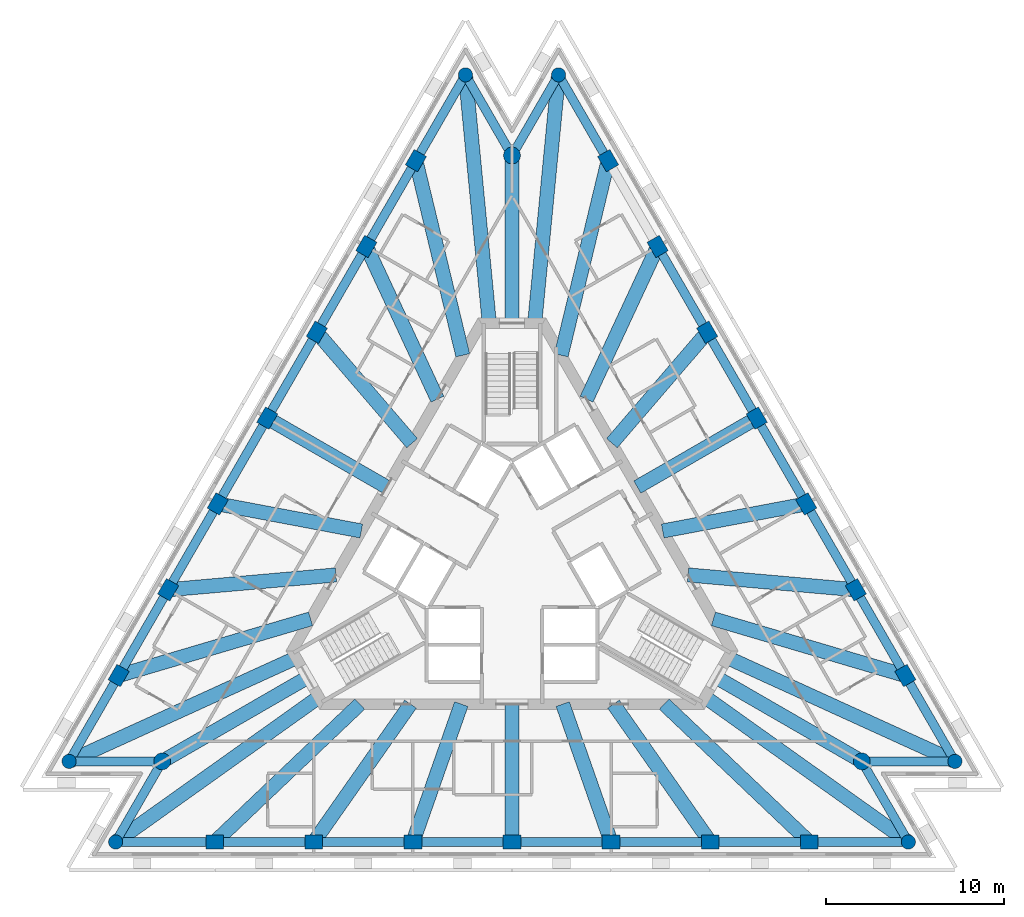
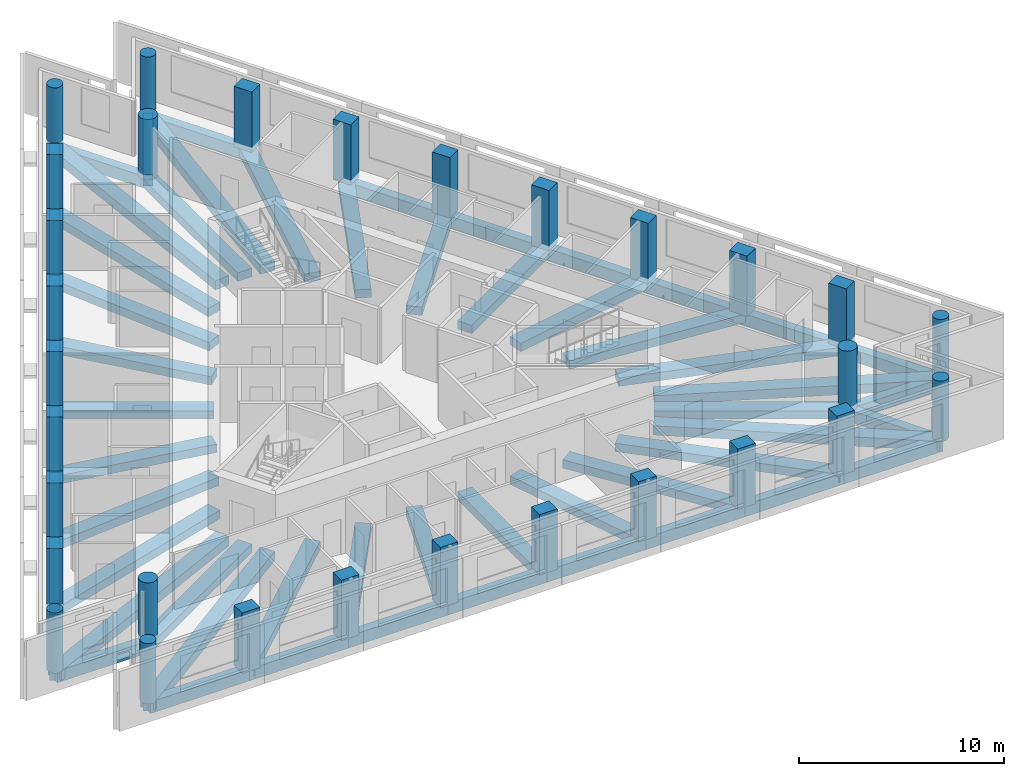
# One storey, part 1 of 10: 59 beams, 30 columns.
"""IFC4 building model written with IfcOpenShell, lengths in metres."""

from ifc_helpers import new_model, si_unit, direction, frame, origin, origin_2d, place, context, subcontext, project, spatial, rectangle, circle, extrude, material, material_profile, profile_set, type_object, element, save


model = new_model("IFC4")

# Units and contexts
model_context = context("Model", 3, precision=1e-05, world=origin(), true_north=direction((0.0, 1.0)))
body_context = subcontext(model_context, "Body", "Model", "MODEL_VIEW")
ifc_project = project(units=[si_unit("LENGTHUNIT", "METRE"), si_unit("AREAUNIT", "SQUARE_METRE"), si_unit("VOLUMEUNIT", "CUBIC_METRE"), si_unit("PLANEANGLEUNIT", "RADIAN"), si_unit("MASSUNIT", "GRAM", prefix="KILO")], contexts=[model_context])

# Site, building, storey
site_placement = place(None, origin())
site = spatial("IfcSite", under=ifc_project, at=site_placement, CompositionType="ELEMENT")
building_placement = place(site_placement, origin())
building = spatial("IfcBuilding", under=site, at=building_placement, Name="Triada Interchange Tower", CompositionType="ELEMENT")
storey_placement = place(building_placement, frame((0.0, 0.0, 268.300048828125)))
storey = spatial("IfcBuildingStorey", under=building, at=storey_placement, Name="L62", CompositionType="ELEMENT", Elevation=268.300048828125)

# Columns
ifc_material_1 = material(Name="Concrete C40/50", Category="concrete")
ifc_material_profile_1 = material_profile(ifc_material_1, rectangle(XDim=1.0, YDim=0.800048828125, at=origin_2d()), Name="RC 1000x800")
ifc_profile_set_1 = profile_set([ifc_material_profile_1], Name="Concrete C40/50")
column_type_1 = type_object("IfcColumnType", Name="Column D face RC 1000x800", PredefinedType="COLUMN", material=ifc_profile_set_1)
for number, where, z_axis, x_axis, name in (
    (1, (-5.4130859375, 22.458984375, -0.300048828125), (0.0, 0.0, 1.0), (0.5, 0.866025403784, 0.0), "Column CD02 L62"),
    (2, (-8.202880859375, 17.6259765625, -0.300048828125), (0.0, 0.0, 1.0), (0.5, 0.866025403784, 0.0), "Column CD03 L62"),
    (3, (-10.993896484375, 12.7919921875, -0.300048828125), (0.0, 0.0, 1.0), (0.5, 0.866025403784, 0.0), "Column CD04 L62"),
    (4, (-13.783935546875, 7.958984375, -0.300048828125), (0.0, 0.0, 1.0), (0.5, 0.866025403784, 0.0), "Column CD05 L62"),
    (5, (-16.574951171875, 3.125, -0.300048828125), (0.0, 0.0, 1.0), (0.5, 0.866025403784, 0.0), "Column CD06 L62"),
    (6, (-19.365966796875, -1.708984375, -0.300048828125), (0.0, 0.0, 1.0), (0.5, 0.866025403784, 0.0), "Column CD07 L62"),
    (7, (-22.156005859375, -6.5419921875, -0.300048828125), (0.0, 0.0, 1.0), (0.5, 0.866025403784, 0.0), "Column CD08 L62"),
    (8, (-16.7451171875, -15.9169921875, -0.300048828125), (0.0, 0.0, 1.0), (1.0, 0.0, 0.0), "Column CD11 L62"),
    (9, (-11.1630859375, -15.9169921875, -0.300048828125), (0.0, 0.0, 1.0), (1.0, 0.0, 0.0), "Column CD12 L62"),
    (10, (-5.5810546875, -15.9169921875, -0.300048828125), (0.0, 0.0, 1.0), (1.0, 0.0, 0.0), "Column CD13 L62"),
    (11, (0.0, -15.9169921875, -0.300048828125), (0.0, 0.0, 1.0), (1.0, 0.0, 0.0), "Column CD14 L62"),
    (12, (5.5810546875, -15.9169921875, -0.300048828125), (0.0, 0.0, 1.0), (1.0, 0.0, 0.0), "Column CD15 L62"),
    (13, (11.1630859375, -15.9169921875, -0.300048828125), (0.0, 0.0, 1.0), (1.0, 0.0, 0.0), "Column CD16 L62"),
    (14, (16.7451171875, -15.9169921875, -0.300048828125), (0.0, 0.0, 1.0), (1.0, 0.0, 0.0), "Column CD17 L62"),
    (15, (22.156005859375, -6.5419921875, -0.300048828125), (0.0, 0.0, 1.0), (-0.5, 0.866025403784, 0.0), "Column CD20 L62"),
    (16, (19.365966796875, -1.708984375, -0.300048828125), (0.0, 0.0, 1.0), (-0.5, 0.866025403784, 0.0), "Column CD21 L62"),
    (17, (16.574951171875, 3.125, -0.300048828125), (0.0, 0.0, 1.0), (-0.5, 0.866025403784, 0.0), "Column CD22 L62"),
    (18, (13.783935546875, 7.9580078125, -0.300048828125), (0.0, 0.0, 1.0), (-0.5, 0.866025403784, 0.0), "Column CD23 L62"),
    (19, (10.993896484375, 12.7919921875, -0.300048828125), (0.0, 0.0, 1.0), (-0.5, 0.866025403784, 0.0), "Column CD24 L62"),
    (20, (8.202880859375, 17.6259765625, -0.300048828125), (0.0, 0.0, 1.0), (-0.5, 0.866025403784, 0.0), "Column CD25 L62"),
    (21, (5.4130859375, 22.458984375, -0.300048828125), (0.0, 0.0, 1.0), (-0.5, 0.866025403784, 0.0), "Column CD26 L62"),
):
    element("IfcColumn", number, at=place(storey_placement, frame(where, z_axis=z_axis, x_axis=x_axis)), inside=storey, type_object=column_type_1, Name=name, PredefinedType="COLUMN", context=body_context, shape_type="SweptSolid", body=[
        extrude(rectangle(XDim=1.0, YDim=0.800048828125, at=origin_2d()), origin(), (0.0, 0.0, 1.0), 3.60009765625),
    ])
ifc_material_profile_2 = material_profile(ifc_material_1, circle(Radius=0.39990234375, at=origin_2d()), Name="RC D800")
ifc_profile_set_2 = profile_set([ifc_material_profile_2], Name="Concrete C40/50")
column_type_2 = type_object("IfcColumnType", Name="End column D RC D800", PredefinedType="COLUMN", material=ifc_profile_set_2)
for number, where, z_axis, x_axis, name in (
    (22, (-2.6220703125, 27.29296875, -0.300048828125), (0.0, 0.0, 1.0), (0.5, 0.866025403784, 0.0), "Column CD01 L62"),
    (23, (-24.947021484375, -11.3759765625, -0.300048828125), (0.0, 0.0, 1.0), (0.5, 0.866025403784, 0.0), "Column CD09 L62"),
    (24, (-22.325927734375, -15.9169921875, -0.300048828125), (0.0, 0.0, 1.0), (1.0, 0.0, 0.0), "Column CD10 L62"),
    (25, (22.325927734375, -15.9169921875, -0.300048828125), (0.0, 0.0, 1.0), (1.0, 0.0, 0.0), "Column CD18 L62"),
    (26, (24.947021484375, -11.3759765625, -0.300048828125), (0.0, 0.0, 1.0), (-0.5, 0.866025403784, 0.0), "Column CD19 L62"),
    (27, (2.6220703125, 27.29296875, -0.300048828125), (0.0, 0.0, 1.0), (-0.5, 0.866025403784, 0.0), "Column CD27 L62"),
):
    element("IfcColumn", number, at=place(storey_placement, frame(where, z_axis=z_axis, x_axis=x_axis)), inside=storey, type_object=column_type_2, Name=name, PredefinedType="COLUMN", context=body_context, shape_type="SweptSolid", body=[
        extrude(circle(Radius=0.39990234375, at=origin_2d()), origin(), (0.0, 0.0, 1.0), 3.60009765625),
    ])
ifc_material_profile_3 = material_profile(ifc_material_1, circle(Radius=0.47509765625, at=origin_2d()), Name="RC D950")
ifc_profile_set_3 = profile_set([ifc_material_profile_3], Name="Concrete C40/50")
column_type_3 = type_object("IfcColumnType", Name="Mega column D RC D950", PredefinedType="COLUMN", material=ifc_profile_set_3)
for number, where, z_axis, x_axis, name in (
    (28, (0.0, 22.7529296875, -0.300048828125), (0.0, 0.0, 1.0), (1.0, 0.0, 0.0), "Column MD1 L62"),
    (29, (-19.7041015625, -11.3759765625, -0.300048828125), (0.0, 0.0, 1.0), (1.0, 0.0, 0.0), "Column MD2 L62"),
    (30, (19.7041015625, -11.3759765625, -0.300048828125), (0.0, 0.0, 1.0), (1.0, 0.0, 0.0), "Column MD3 L62"),
):
    element("IfcColumn", number, at=place(storey_placement, frame(where, z_axis=z_axis, x_axis=x_axis)), inside=storey, type_object=column_type_3, Name=name, PredefinedType="COLUMN", context=body_context, shape_type="SweptSolid", body=[
        extrude(circle(Radius=0.47509765625, at=origin_2d()), origin(), (0.0, 0.0, 1.0), 3.60009765625),
    ])

# Beams
ifc_material_2 = material(Name="Concrete C50/60", Category="concrete")
ifc_material_profile_4 = material_profile(ifc_material_2, rectangle(XDim=0.800048828125, YDim=0.5, at=origin_2d()), Name="RC 800x500")
ifc_profile_set_4 = profile_set([ifc_material_profile_4], Name="Concrete C50/60")
beam_type_1 = type_object("IfcBeamType", Name="Radial band beam D RC 800x500", PredefinedType="BEAM", material=ifc_profile_set_4)
beam_1_placement = place(storey_placement, frame((-5.4130859375, 22.458984375, -0.550048828125), z_axis=(0.234272173426, -0.972171049126, 0.0), x_axis=(0.972171049126, 0.234272173426, 0.0)))
element("IfcBeam", 31, at=beam_1_placement, inside=storey, type_object=beam_type_1, Name="Radial band beam BD02 L62", PredefinedType="BEAM", context=body_context, shape_type="SweptSolid", body=[
    extrude(rectangle(XDim=0.800048828125, YDim=0.5, at=origin_2d()), origin(), (0.0, 0.0, 1.0), 11.273681640625),
])
beam_2_placement = place(storey_placement, frame((-8.202880859375, 17.6259765625, -0.550048828125), z_axis=(0.421941327944, -0.906623138781, 0.0), x_axis=(0.906623138781, 0.421941327944, 0.0)))
element("IfcBeam", 32, at=beam_2_placement, inside=storey, type_object=beam_type_1, Name="Radial band beam BD03 L62", PredefinedType="BEAM", context=body_context, shape_type="SweptSolid", body=[
    extrude(rectangle(XDim=0.800048828125, YDim=0.5, at=origin_2d()), origin(), (0.0, 0.0, 1.0), 9.48681640625),
])
beam_3_placement = place(storey_placement, frame((-10.993896484375, 12.7919921875, -0.550048828125), z_axis=(0.651824057833, -0.758370224647, 0.0), x_axis=(0.758370224647, 0.651824057833, 0.0)))
element("IfcBeam", 33, at=beam_3_placement, inside=storey, type_object=beam_type_1, Name="Radial band beam BD04 L62", PredefinedType="BEAM", context=body_context, shape_type="SweptSolid", body=[
    extrude(rectangle(XDim=0.800048828125, YDim=0.5, at=origin_2d()), origin(), (0.0, 0.0, 1.0), 8.230712890625),
])
beam_4_placement = place(storey_placement, frame((-13.783935546875, 7.958984375, -0.550048828125), z_axis=(0.865976705992, -0.500084337567, 0.0), x_axis=(0.500084337567, 0.865976705992, 0.0)))
element("IfcBeam", 34, at=beam_4_placement, inside=storey, type_object=beam_type_1, Name="Radial band beam BD05 L62", PredefinedType="BEAM", context=body_context, shape_type="SweptSolid", body=[
    extrude(rectangle(XDim=0.800048828125, YDim=0.5, at=origin_2d()), origin(), (0.0, 0.0, 1.0), 7.766845703125),
])
beam_5_placement = place(storey_placement, frame((-16.574951171875, 3.125, -0.550048828125), z_axis=(0.982686321987, -0.185277069764, 0.0), x_axis=(0.185277069764, 0.982686321987, 0.0)))
element("IfcBeam", 35, at=beam_5_placement, inside=storey, type_object=beam_type_1, Name="Radial band beam BD06 L62", PredefinedType="BEAM", context=body_context, shape_type="SweptSolid", body=[
    extrude(rectangle(XDim=0.800048828125, YDim=0.5, at=origin_2d()), origin(), (0.0, 0.0, 1.0), 8.23046875),
])
beam_6_placement = place(storey_placement, frame((-19.365966796875, -1.708984375, -0.550048828125), z_axis=(0.996128325651, 0.087911084828, 0.0), x_axis=(-0.087911084828, 0.996128325651, 0.0)))
element("IfcBeam", 36, at=beam_6_placement, inside=storey, type_object=beam_type_1, Name="Radial band beam BD07 L62", PredefinedType="BEAM", context=body_context, shape_type="SweptSolid", body=[
    extrude(rectangle(XDim=0.800048828125, YDim=0.5, at=origin_2d()), origin(), (0.0, 0.0, 1.0), 9.486572265625),
])
beam_7_placement = place(storey_placement, frame((-22.156005859375, -6.5419921875, -0.550048828125), z_axis=(0.959072530335, 0.283160522596, 0.0), x_axis=(-0.283160522596, 0.959072530335, 0.0)))
element("IfcBeam", 37, at=beam_7_placement, inside=storey, type_object=beam_type_1, Name="Radial band beam BD08 L62", PredefinedType="BEAM", context=body_context, shape_type="SweptSolid", body=[
    extrude(rectangle(XDim=0.800048828125, YDim=0.5, at=origin_2d()), origin(), (0.0, 0.0, 1.0), 11.2724609375),
])
beam_8_placement = place(storey_placement, frame((-19.7041015625, -11.3759765625, -0.550048828125), z_axis=(0.866031605588, 0.499989258007, 0.0), x_axis=(-0.499989258007, 0.866031605588, 0.0)))
element("IfcBeam", 38, at=beam_8_placement, inside=storey, type_object=beam_type_1, Name="Radial band beam BD10 L62", PredefinedType="BEAM", context=body_context, shape_type="SweptSolid", body=[
    extrude(rectangle(XDim=0.800048828125, YDim=0.5, at=origin_2d()), origin(), (0.0, 0.0, 1.0), 9.452392578125),
])
beam_9_placement = place(storey_placement, frame((-16.7451171875, -15.9169921875, -0.550048828125), z_axis=(0.724799890409, 0.688959446457, 0.0), x_axis=(-0.688959446457, 0.724799890409, 0.0)))
element("IfcBeam", 39, at=beam_9_placement, inside=storey, type_object=beam_type_1, Name="Radial band beam BD12 L62", PredefinedType="BEAM", context=body_context, shape_type="SweptSolid", body=[
    extrude(rectangle(XDim=0.800048828125, YDim=0.5, at=origin_2d()), origin(), (0.0, 0.0, 1.0), 11.273681640625),
])
beam_10_placement = place(storey_placement, frame((-11.1630859375, -15.9169921875, -0.550048828125), z_axis=(0.574173726859, 0.818733492282, 0.0), x_axis=(-0.818733492282, 0.574173726859, 0.0)))
element("IfcBeam", 40, at=beam_10_placement, inside=storey, type_object=beam_type_1, Name="Radial band beam BD13 L62", PredefinedType="BEAM", context=body_context, shape_type="SweptSolid", body=[
    extrude(rectangle(XDim=0.800048828125, YDim=0.5, at=origin_2d()), origin(), (0.0, 0.0, 1.0), 9.48681640625),
])
beam_11_placement = place(storey_placement, frame((-5.5810546875, -15.9169921875, -0.550048828125), z_axis=(0.330855101794, 0.943681567912, 0.0), x_axis=(-0.943681567912, 0.330855101794, 0.0)))
element("IfcBeam", 41, at=beam_11_placement, inside=storey, type_object=beam_type_1, Name="Radial band beam BD14 L62", PredefinedType="BEAM", context=body_context, shape_type="SweptSolid", body=[
    extrude(rectangle(XDim=0.800048828125, YDim=0.5, at=origin_2d()), origin(), (0.0, 0.0, 1.0), 8.230712890625),
])
beam_12_placement = place(storey_placement, frame((0.0, -15.9169921875, -0.550048828125), z_axis=(0.0, 1.0, 0.0), x_axis=(-1.0, 0.0, 0.0)))
element("IfcBeam", 42, at=beam_12_placement, inside=storey, type_object=beam_type_1, Name="Radial band beam BD15 L62", PredefinedType="BEAM", context=body_context, shape_type="SweptSolid", body=[
    extrude(rectangle(XDim=0.800048828125, YDim=0.5, at=origin_2d()), origin(), (0.0, 0.0, 1.0), 7.76708984375),
])
beam_13_placement = place(storey_placement, frame((5.5810546875, -15.9169921875, -0.550048828125), z_axis=(-0.330855101794, 0.943681567912, 0.0), x_axis=(-0.943681567912, -0.330855101794, 0.0)))
element("IfcBeam", 43, at=beam_13_placement, inside=storey, type_object=beam_type_1, Name="Radial band beam BD16 L62", PredefinedType="BEAM", context=body_context, shape_type="SweptSolid", body=[
    extrude(rectangle(XDim=0.800048828125, YDim=0.5, at=origin_2d()), origin(), (0.0, 0.0, 1.0), 8.230712890625),
])
beam_14_placement = place(storey_placement, frame((11.1630859375, -15.9169921875, -0.550048828125), z_axis=(-0.574173726859, 0.818733492282, 0.0), x_axis=(-0.818733492282, -0.574173726859, 0.0)))
element("IfcBeam", 44, at=beam_14_placement, inside=storey, type_object=beam_type_1, Name="Radial band beam BD17 L62", PredefinedType="BEAM", context=body_context, shape_type="SweptSolid", body=[
    extrude(rectangle(XDim=0.800048828125, YDim=0.5, at=origin_2d()), origin(), (0.0, 0.0, 1.0), 9.48681640625),
])
beam_15_placement = place(storey_placement, frame((16.7451171875, -15.9169921875, -0.550048828125), z_axis=(-0.724799890409, 0.688959446457, 0.0), x_axis=(-0.688959446457, -0.724799890409, 0.0)))
element("IfcBeam", 45, at=beam_15_placement, inside=storey, type_object=beam_type_1, Name="Radial band beam BD18 L62", PredefinedType="BEAM", context=body_context, shape_type="SweptSolid", body=[
    extrude(rectangle(XDim=0.800048828125, YDim=0.5, at=origin_2d()), origin(), (0.0, 0.0, 1.0), 11.273681640625),
])
beam_16_placement = place(storey_placement, frame((19.7041015625, -11.3759765625, -0.550048828125), z_axis=(-0.866031605588, 0.499989258007, 0.0), x_axis=(-0.499989258007, -0.866031605588, 0.0)))
element("IfcBeam", 46, at=beam_16_placement, inside=storey, type_object=beam_type_1, Name="Radial band beam BD20 L62", PredefinedType="BEAM", context=body_context, shape_type="SweptSolid", body=[
    extrude(rectangle(XDim=0.800048828125, YDim=0.5, at=origin_2d()), origin(), (0.0, 0.0, 1.0), 9.452392578125),
])
beam_17_placement = place(storey_placement, frame((22.156005859375, -6.5419921875, -0.550048828125), z_axis=(-0.959072530335, 0.283160522596, 0.0), x_axis=(-0.283160522596, -0.959072530335, 0.0)))
element("IfcBeam", 47, at=beam_17_placement, inside=storey, type_object=beam_type_1, Name="Radial band beam BD22 L62", PredefinedType="BEAM", context=body_context, shape_type="SweptSolid", body=[
    extrude(rectangle(XDim=0.800048828125, YDim=0.5, at=origin_2d()), origin(), (0.0, 0.0, 1.0), 11.2724609375),
])
beam_18_placement = place(storey_placement, frame((19.365966796875, -1.708984375, -0.550048828125), z_axis=(-0.996128325651, 0.087911084828, 0.0), x_axis=(-0.087911084828, -0.996128325651, 0.0)))
element("IfcBeam", 48, at=beam_18_placement, inside=storey, type_object=beam_type_1, Name="Radial band beam BD23 L62", PredefinedType="BEAM", context=body_context, shape_type="SweptSolid", body=[
    extrude(rectangle(XDim=0.800048828125, YDim=0.5, at=origin_2d()), origin(), (0.0, 0.0, 1.0), 9.486572265625),
])
beam_19_placement = place(storey_placement, frame((16.574951171875, 3.125, -0.550048828125), z_axis=(-0.982686321987, -0.185277069764, 0.0), x_axis=(0.185277069764, -0.982686321987, 0.0)))
element("IfcBeam", 49, at=beam_19_placement, inside=storey, type_object=beam_type_1, Name="Radial band beam BD24 L62", PredefinedType="BEAM", context=body_context, shape_type="SweptSolid", body=[
    extrude(rectangle(XDim=0.800048828125, YDim=0.5, at=origin_2d()), origin(), (0.0, 0.0, 1.0), 8.23046875),
])
beam_20_placement = place(storey_placement, frame((13.783935546875, 7.9580078125, -0.550048828125), z_axis=(-0.866031155779, -0.499990037121, 0.0), x_axis=(0.499990037121, -0.866031155779, 0.0)))
element("IfcBeam", 50, at=beam_20_placement, inside=storey, type_object=beam_type_1, Name="Radial band beam BD25 L62", PredefinedType="BEAM", context=body_context, shape_type="SweptSolid", body=[
    extrude(rectangle(XDim=0.800048828125, YDim=0.5, at=origin_2d()), origin(), (0.0, 0.0, 1.0), 7.766357421875),
])
beam_21_placement = place(storey_placement, frame((10.993896484375, 12.7919921875, -0.550048828125), z_axis=(-0.651824057833, -0.758370224647, 0.0), x_axis=(0.758370224647, -0.651824057833, 0.0)))
element("IfcBeam", 51, at=beam_21_placement, inside=storey, type_object=beam_type_1, Name="Radial band beam BD26 L62", PredefinedType="BEAM", context=body_context, shape_type="SweptSolid", body=[
    extrude(rectangle(XDim=0.800048828125, YDim=0.5, at=origin_2d()), origin(), (0.0, 0.0, 1.0), 8.230712890625),
])
beam_22_placement = place(storey_placement, frame((8.202880859375, 17.6259765625, -0.550048828125), z_axis=(-0.421941327944, -0.906623138781, 0.0), x_axis=(0.906623138781, -0.421941327944, 0.0)))
element("IfcBeam", 52, at=beam_22_placement, inside=storey, type_object=beam_type_1, Name="Radial band beam BD27 L62", PredefinedType="BEAM", context=body_context, shape_type="SweptSolid", body=[
    extrude(rectangle(XDim=0.800048828125, YDim=0.5, at=origin_2d()), origin(), (0.0, 0.0, 1.0), 9.48681640625),
])
beam_23_placement = place(storey_placement, frame((5.4130859375, 22.458984375, -0.550048828125), z_axis=(-0.234272173426, -0.972171049126, 0.0), x_axis=(0.972171049126, -0.234272173426, 0.0)))
element("IfcBeam", 53, at=beam_23_placement, inside=storey, type_object=beam_type_1, Name="Radial band beam BD28 L62", PredefinedType="BEAM", context=body_context, shape_type="SweptSolid", body=[
    extrude(rectangle(XDim=0.800048828125, YDim=0.5, at=origin_2d()), origin(), (0.0, 0.0, 1.0), 11.273681640625),
])
beam_24_placement = place(storey_placement, frame((0.0, 22.7529296875, -0.550048828125), z_axis=(0.0, -1.0, 0.0), x_axis=(1.0, 0.0, 0.0)))
element("IfcBeam", 54, at=beam_24_placement, inside=storey, type_object=beam_type_1, Name="Radial band beam BD30 L62", PredefinedType="BEAM", context=body_context, shape_type="SweptSolid", body=[
    extrude(rectangle(XDim=0.800048828125, YDim=0.5, at=origin_2d()), origin(), (0.0, 0.0, 1.0), 9.452880859375),
])
ifc_material_profile_5 = material_profile(ifc_material_2, rectangle(XDim=0.800048828125, YDim=0.550048828125, at=origin_2d()), Name="RC 800x550")
ifc_profile_set_5 = profile_set([ifc_material_profile_5], Name="Concrete C50/60")
beam_type_2 = type_object("IfcBeamType", Name="Radial band beam D RC 800x550", PredefinedType="BEAM", material=ifc_profile_set_5)
beam_25_placement = place(storey_placement, frame((-2.6220703125, 27.29296875, -0.574951171875), z_axis=(0.095608162853, -0.995419047033, 0.0), x_axis=(0.995419047033, 0.095608162853, 0.0)))
element("IfcBeam", 55, at=beam_25_placement, inside=storey, type_object=beam_type_2, Name="Radial band beam BD01 L62", PredefinedType="BEAM", context=body_context, shape_type="SweptSolid", body=[
    extrude(rectangle(XDim=0.800048828125, YDim=0.550048828125, at=origin_2d()), origin(), (0.0, 0.0, 1.0), 14.057373046875),
])
beam_26_placement = place(storey_placement, frame((-24.947021484375, -11.3759765625, -0.574951171875), z_axis=(0.909873343628, 0.414886127216, 0.0), x_axis=(-0.414886127216, 0.909873343628, 0.0)))
element("IfcBeam", 56, at=beam_26_placement, inside=storey, type_object=beam_type_2, Name="Radial band beam BD09 L62", PredefinedType="BEAM", context=body_context, shape_type="SweptSolid", body=[
    extrude(rectangle(XDim=0.800048828125, YDim=0.550048828125, at=origin_2d()), origin(), (0.0, 0.0, 1.0), 14.056884765625),
])
for number, where, z_axis, x_axis, name in (
    (57, (-22.325927734375, -15.9169921875, -0.574951171875), (0.814256478941, 0.580505285507, 0.0), (-0.580505285507, 0.814256478941, 0.0), "Radial band beam BD11 L62"),
    (58, (22.325927734375, -15.9169921875, -0.574951171875), (-0.814256478941, 0.580505285507, 0.0), (-0.580505285507, -0.814256478941, 0.0), "Radial band beam BD19 L62"),
):
    element("IfcBeam", number, at=place(storey_placement, frame(where, z_axis=z_axis, x_axis=x_axis)), inside=storey, type_object=beam_type_2, Name=name, PredefinedType="BEAM", context=body_context, shape_type="SweptSolid", body=[
        extrude(rectangle(XDim=0.800048828125, YDim=0.550048828125, at=origin_2d()), origin(), (0.0, 0.0, 1.0), 14.058349609375),
    ])
beam_27_placement = place(storey_placement, frame((24.947021484375, -11.3759765625, -0.574951171875), z_axis=(-0.909873343628, 0.414886127216, 0.0), x_axis=(-0.414886127216, -0.909873343628, 0.0)))
element("IfcBeam", 59, at=beam_27_placement, inside=storey, type_object=beam_type_2, Name="Radial band beam BD21 L62", PredefinedType="BEAM", context=body_context, shape_type="SweptSolid", body=[
    extrude(rectangle(XDim=0.800048828125, YDim=0.550048828125, at=origin_2d()), origin(), (0.0, 0.0, 1.0), 14.056884765625),
])
beam_28_placement = place(storey_placement, frame((2.6220703125, 27.29296875, -0.574951171875), z_axis=(-0.095608162853, -0.995419047033, 0.0), x_axis=(0.995419047033, -0.095608162853, 0.0)))
element("IfcBeam", 60, at=beam_28_placement, inside=storey, type_object=beam_type_2, Name="Radial band beam BD29 L62", PredefinedType="BEAM", context=body_context, shape_type="SweptSolid", body=[
    extrude(rectangle(XDim=0.800048828125, YDim=0.550048828125, at=origin_2d()), origin(), (0.0, 0.0, 1.0), 14.057373046875),
])
ifc_material_profile_6 = material_profile(ifc_material_2, rectangle(XDim=0.5, YDim=0.699951171875, at=origin_2d()), Name="RC 500x700")
ifc_profile_set_6 = profile_set([ifc_material_profile_6], Name="Concrete C50/60")
beam_type_3 = type_object("IfcBeamType", Name="Spandrel beam D RC 500x700", PredefinedType="BEAM", material=ifc_profile_set_6)
beam_29_placement = place(storey_placement, frame((-2.6220703125, 27.29296875, -0.650146484375), z_axis=(-0.5000152428, -0.866016603171, 0.0), x_axis=(0.866016603171, -0.5000152428, 0.0)))
element("IfcBeam", 61, at=beam_29_placement, inside=storey, type_object=beam_type_3, Name="Spandrel beam ED01 L62", PredefinedType="BEAM", context=body_context, shape_type="SweptSolid", body=[
    extrude(rectangle(XDim=0.5, YDim=0.699951171875, at=origin_2d()), origin(), (0.0, 0.0, 1.0), 5.581787109375),
])
beam_30_placement = place(storey_placement, frame((-5.4130859375, 22.458984375, -0.650146484375), z_axis=(-0.499926960557, -0.86606756902, 0.0), x_axis=(0.86606756902, -0.499926960557, 0.0)))
element("IfcBeam", 62, at=beam_30_placement, inside=storey, type_object=beam_type_3, Name="Spandrel beam ED02 L62", PredefinedType="BEAM", context=body_context, shape_type="SweptSolid", body=[
    extrude(rectangle(XDim=0.5, YDim=0.699951171875, at=origin_2d()), origin(), (0.0, 0.0, 1.0), 5.580322265625),
])
beam_31_placement = place(storey_placement, frame((-8.202880859375, 17.6259765625, -0.650146484375), z_axis=(-0.5000152428, -0.866016603171, 0.0), x_axis=(0.866016603171, -0.5000152428, 0.0)))
element("IfcBeam", 63, at=beam_31_placement, inside=storey, type_object=beam_type_3, Name="Spandrel beam ED03 L62", PredefinedType="BEAM", context=body_context, shape_type="SweptSolid", body=[
    extrude(rectangle(XDim=0.5, YDim=0.699951171875, at=origin_2d()), origin(), (0.0, 0.0, 1.0), 5.581787109375),
])
beam_32_placement = place(storey_placement, frame((-10.993896484375, 12.7919921875, -0.650146484375), z_axis=(-0.499959774894, -0.866048626514, 0.0), x_axis=(0.866048626514, -0.499959774894, 0.0)))
element("IfcBeam", 64, at=beam_32_placement, inside=storey, type_object=beam_type_3, Name="Spandrel beam ED04 L62", PredefinedType="BEAM", context=body_context, shape_type="SweptSolid", body=[
    extrude(rectangle(XDim=0.5, YDim=0.699951171875, at=origin_2d()), origin(), (0.0, 0.0, 1.0), 5.58056640625),
])
for number, where, z_axis, x_axis, name in (
    (65, (-13.783935546875, 7.958984375, -0.650146484375), (-0.5000152428, -0.866016603171, 0.0), (0.866016603171, -0.5000152428, 0.0), "Spandrel beam ED05 L62"),
    (66, (-16.574951171875, 3.125, -0.650146484375), (-0.5000152428, -0.866016603171, 0.0), (0.866016603171, -0.5000152428, 0.0), "Spandrel beam ED06 L62"),
):
    element("IfcBeam", number, at=place(storey_placement, frame(where, z_axis=z_axis, x_axis=x_axis)), inside=storey, type_object=beam_type_3, Name=name, PredefinedType="BEAM", context=body_context, shape_type="SweptSolid", body=[
        extrude(rectangle(XDim=0.5, YDim=0.699951171875, at=origin_2d()), origin(), (0.0, 0.0, 1.0), 5.581787109375),
    ])
beam_33_placement = place(storey_placement, frame((-19.365966796875, -1.708984375, -0.650146484375), z_axis=(-0.499959774894, -0.866048626514, 0.0), x_axis=(0.866048626514, -0.499959774894, 0.0)))
element("IfcBeam", 67, at=beam_33_placement, inside=storey, type_object=beam_type_3, Name="Spandrel beam ED07 L62", PredefinedType="BEAM", context=body_context, shape_type="SweptSolid", body=[
    extrude(rectangle(XDim=0.5, YDim=0.699951171875, at=origin_2d()), origin(), (0.0, 0.0, 1.0), 5.58056640625),
])
beam_34_placement = place(storey_placement, frame((-22.156005859375, -6.5419921875, -0.650146484375), z_axis=(-0.5000152428, -0.866016603171, 0.0), x_axis=(0.866016603171, -0.5000152428, 0.0)))
element("IfcBeam", 68, at=beam_34_placement, inside=storey, type_object=beam_type_3, Name="Spandrel beam ED08 L62", PredefinedType="BEAM", context=body_context, shape_type="SweptSolid", body=[
    extrude(rectangle(XDim=0.5, YDim=0.699951171875, at=origin_2d()), origin(), (0.0, 0.0, 1.0), 5.581787109375),
])
beam_35_placement = place(storey_placement, frame((-24.947021484375, -11.3759765625, -0.650146484375), z_axis=(1.0, 0.0, 0.0), x_axis=(0.0, 1.0, 0.0)))
element("IfcBeam", 69, at=beam_35_placement, inside=storey, type_object=beam_type_3, Name="Spandrel beam ED09 L62", PredefinedType="BEAM", context=body_context, shape_type="SweptSolid", body=[
    extrude(rectangle(XDim=0.5, YDim=0.699951171875, at=origin_2d()), origin(), (0.0, 0.0, 1.0), 5.242919921875),
])
beam_36_placement = place(storey_placement, frame((-19.7041015625, -11.3759765625, -0.650146484375), z_axis=(-0.500009951967, -0.866019657937, 0.0), x_axis=(0.866019657937, -0.500009951967, 0.0)))
element("IfcBeam", 70, at=beam_36_placement, inside=storey, type_object=beam_type_3, Name="Spandrel beam ED10 L62", PredefinedType="BEAM", context=body_context, shape_type="SweptSolid", body=[
    extrude(rectangle(XDim=0.5, YDim=0.699951171875, at=origin_2d()), origin(), (0.0, 0.0, 1.0), 5.24365234375),
])
beam_37_placement = place(storey_placement, frame((-22.325927734375, -15.9169921875, -0.650146484375), z_axis=(1.0, 0.0, 0.0), x_axis=(0.0, 1.0, 0.0)))
element("IfcBeam", 71, at=beam_37_placement, inside=storey, type_object=beam_type_3, Name="Spandrel beam ED11 L62", PredefinedType="BEAM", context=body_context, shape_type="SweptSolid", body=[
    extrude(rectangle(XDim=0.5, YDim=0.699951171875, at=origin_2d()), origin(), (0.0, 0.0, 1.0), 5.580810546875),
])
for number, where, z_axis, x_axis, name in (
    (72, (-16.7451171875, -15.9169921875, -0.650146484375), (1.0, 0.0, 0.0), (0.0, 1.0, 0.0), "Spandrel beam ED12 L62"),
    (73, (-11.1630859375, -15.9169921875, -0.650146484375), (1.0, 0.0, 0.0), (0.0, 1.0, 0.0), "Spandrel beam ED13 L62"),
):
    element("IfcBeam", number, at=place(storey_placement, frame(where, z_axis=z_axis, x_axis=x_axis)), inside=storey, type_object=beam_type_3, Name=name, PredefinedType="BEAM", context=body_context, shape_type="SweptSolid", body=[
        extrude(rectangle(XDim=0.5, YDim=0.699951171875, at=origin_2d()), origin(), (0.0, 0.0, 1.0), 5.58203125),
    ])
for number, where, z_axis, x_axis, name in (
    (74, (-5.5810546875, -15.9169921875, -0.650146484375), (1.0, 0.0, 0.0), (0.0, 1.0, 0.0), "Spandrel beam ED14 L62"),
    (75, (0.0, -15.9169921875, -0.650146484375), (1.0, 0.0, 0.0), (0.0, 1.0, 0.0), "Spandrel beam ED15 L62"),
):
    element("IfcBeam", number, at=place(storey_placement, frame(where, z_axis=z_axis, x_axis=x_axis)), inside=storey, type_object=beam_type_3, Name=name, PredefinedType="BEAM", context=body_context, shape_type="SweptSolid", body=[
        extrude(rectangle(XDim=0.5, YDim=0.699951171875, at=origin_2d()), origin(), (0.0, 0.0, 1.0), 5.5810546875),
    ])
for number, where, z_axis, x_axis, name in (
    (76, (5.5810546875, -15.9169921875, -0.650146484375), (1.0, 0.0, 0.0), (0.0, 1.0, 0.0), "Spandrel beam ED16 L62"),
    (77, (11.1630859375, -15.9169921875, -0.650146484375), (1.0, 0.0, 0.0), (0.0, 1.0, 0.0), "Spandrel beam ED17 L62"),
):
    element("IfcBeam", number, at=place(storey_placement, frame(where, z_axis=z_axis, x_axis=x_axis)), inside=storey, type_object=beam_type_3, Name=name, PredefinedType="BEAM", context=body_context, shape_type="SweptSolid", body=[
        extrude(rectangle(XDim=0.5, YDim=0.699951171875, at=origin_2d()), origin(), (0.0, 0.0, 1.0), 5.58203125),
    ])
beam_38_placement = place(storey_placement, frame((16.7451171875, -15.9169921875, -0.650146484375), z_axis=(1.0, 0.0, 0.0), x_axis=(0.0, 1.0, 0.0)))
element("IfcBeam", 78, at=beam_38_placement, inside=storey, type_object=beam_type_3, Name="Spandrel beam ED18 L62", PredefinedType="BEAM", context=body_context, shape_type="SweptSolid", body=[
    extrude(rectangle(XDim=0.5, YDim=0.699951171875, at=origin_2d()), origin(), (0.0, 0.0, 1.0), 5.580810546875),
])
beam_39_placement = place(storey_placement, frame((22.325927734375, -15.9169921875, -0.650146484375), z_axis=(-0.500009951967, 0.866019657937, 0.0), x_axis=(-0.866019657937, -0.500009951967, 0.0)))
element("IfcBeam", 79, at=beam_39_placement, inside=storey, type_object=beam_type_3, Name="Spandrel beam ED19 L62", PredefinedType="BEAM", context=body_context, shape_type="SweptSolid", body=[
    extrude(rectangle(XDim=0.5, YDim=0.699951171875, at=origin_2d()), origin(), (0.0, 0.0, 1.0), 5.24365234375),
])
beam_40_placement = place(storey_placement, frame((19.7041015625, -11.3759765625, -0.650146484375), z_axis=(1.0, 0.0, 0.0), x_axis=(0.0, 1.0, 0.0)))
element("IfcBeam", 80, at=beam_40_placement, inside=storey, type_object=beam_type_3, Name="Spandrel beam ED20 L62", PredefinedType="BEAM", context=body_context, shape_type="SweptSolid", body=[
    extrude(rectangle(XDim=0.5, YDim=0.699951171875, at=origin_2d()), origin(), (0.0, 0.0, 1.0), 5.242919921875),
])
beam_41_placement = place(storey_placement, frame((24.947021484375, -11.3759765625, -0.650146484375), z_axis=(-0.5000152428, 0.866016603171, 0.0), x_axis=(-0.866016603171, -0.5000152428, 0.0)))
element("IfcBeam", 81, at=beam_41_placement, inside=storey, type_object=beam_type_3, Name="Spandrel beam ED21 L62", PredefinedType="BEAM", context=body_context, shape_type="SweptSolid", body=[
    extrude(rectangle(XDim=0.5, YDim=0.699951171875, at=origin_2d()), origin(), (0.0, 0.0, 1.0), 5.581787109375),
])
beam_42_placement = place(storey_placement, frame((22.156005859375, -6.5419921875, -0.650146484375), z_axis=(-0.499959774894, 0.866048626514, 0.0), x_axis=(-0.866048626514, -0.499959774894, 0.0)))
element("IfcBeam", 82, at=beam_42_placement, inside=storey, type_object=beam_type_3, Name="Spandrel beam ED22 L62", PredefinedType="BEAM", context=body_context, shape_type="SweptSolid", body=[
    extrude(rectangle(XDim=0.5, YDim=0.699951171875, at=origin_2d()), origin(), (0.0, 0.0, 1.0), 5.58056640625),
])
beam_43_placement = place(storey_placement, frame((19.365966796875, -1.708984375, -0.650146484375), z_axis=(-0.5000152428, 0.866016603171, 0.0), x_axis=(-0.866016603171, -0.5000152428, 0.0)))
element("IfcBeam", 83, at=beam_43_placement, inside=storey, type_object=beam_type_3, Name="Spandrel beam ED23 L62", PredefinedType="BEAM", context=body_context, shape_type="SweptSolid", body=[
    extrude(rectangle(XDim=0.5, YDim=0.699951171875, at=origin_2d()), origin(), (0.0, 0.0, 1.0), 5.581787109375),
])
beam_44_placement = place(storey_placement, frame((16.574951171875, 3.125, -0.650146484375), z_axis=(-0.500091010712, 0.865972852349, 0.0), x_axis=(-0.865972852349, -0.500091010712, 0.0)))
element("IfcBeam", 84, at=beam_44_placement, inside=storey, type_object=beam_type_3, Name="Spandrel beam ED24 L62", PredefinedType="BEAM", context=body_context, shape_type="SweptSolid", body=[
    extrude(rectangle(XDim=0.5, YDim=0.699951171875, at=origin_2d()), origin(), (0.0, 0.0, 1.0), 5.5810546875),
])
beam_45_placement = place(storey_placement, frame((13.783935546875, 7.9580078125, -0.650146484375), z_axis=(-0.499884013612, 0.866092358201, 0.0), x_axis=(-0.866092358201, -0.499884013612, 0.0)))
element("IfcBeam", 85, at=beam_45_placement, inside=storey, type_object=beam_type_3, Name="Spandrel beam ED25 L62", PredefinedType="BEAM", context=body_context, shape_type="SweptSolid", body=[
    extrude(rectangle(XDim=0.5, YDim=0.699951171875, at=origin_2d()), origin(), (0.0, 0.0, 1.0), 5.581298828125),
])
for number, where, z_axis, x_axis, name in (
    (86, (10.993896484375, 12.7919921875, -0.650146484375), (-0.5000152428, 0.866016603171, 0.0), (-0.866016603171, -0.5000152428, 0.0), "Spandrel beam ED26 L62"),
    (87, (5.4130859375, 22.458984375, -0.650146484375), (-0.5000152428, 0.866016603171, 0.0), (-0.866016603171, -0.5000152428, 0.0), "Spandrel beam ED28 L62"),
):
    element("IfcBeam", number, at=place(storey_placement, frame(where, z_axis=z_axis, x_axis=x_axis)), inside=storey, type_object=beam_type_3, Name=name, PredefinedType="BEAM", context=body_context, shape_type="SweptSolid", body=[
        extrude(rectangle(XDim=0.5, YDim=0.699951171875, at=origin_2d()), origin(), (0.0, 0.0, 1.0), 5.581787109375),
    ])
for number, where, z_axis, x_axis, name in (
    (88, (2.6220703125, 27.29296875, -0.650146484375), (-0.500125528844, -0.865952917541, 0.0), (0.865952917541, -0.500125528844, 0.0), "Spandrel beam ED29 L62"),
    (89, (0.0, 22.7529296875, -0.650146484375), (-0.500125528844, 0.865952917541, 0.0), (-0.865952917541, -0.500125528844, 0.0), "Spandrel beam ED30 L62"),
):
    element("IfcBeam", number, at=place(storey_placement, frame(where, z_axis=z_axis, x_axis=x_axis)), inside=storey, type_object=beam_type_3, Name=name, PredefinedType="BEAM", context=body_context, shape_type="SweptSolid", body=[
        extrude(rectangle(XDim=0.5, YDim=0.699951171875, at=origin_2d()), origin(), (0.0, 0.0, 1.0), 5.242919921875),
    ])

save(model, "model.ifc")
